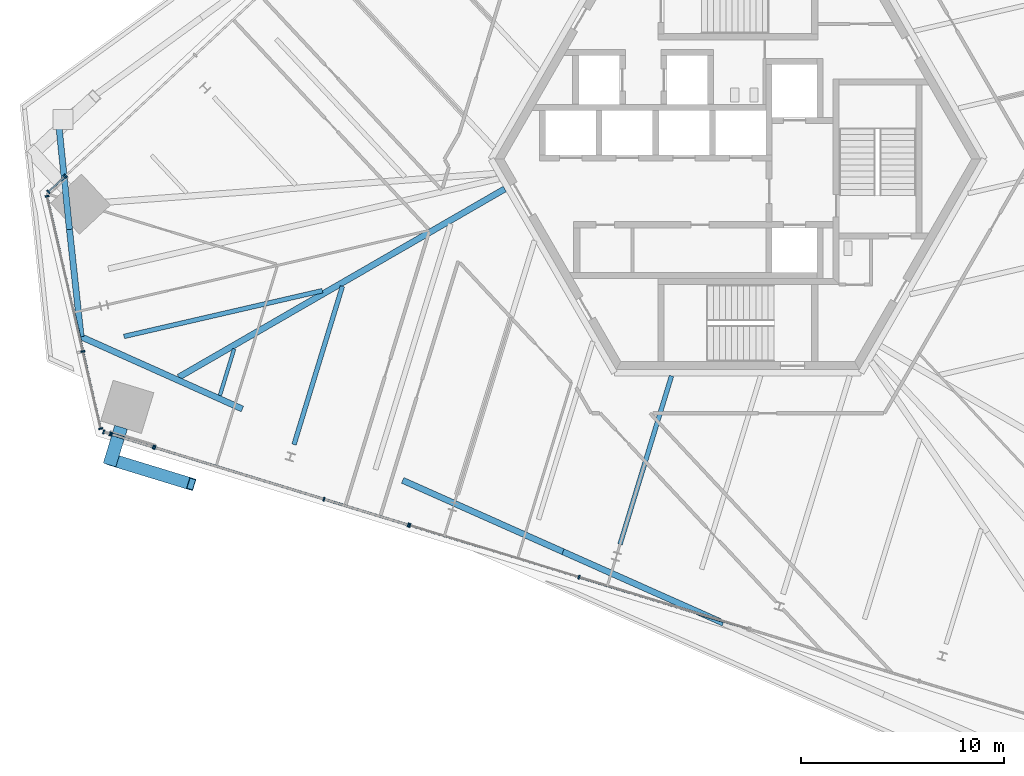
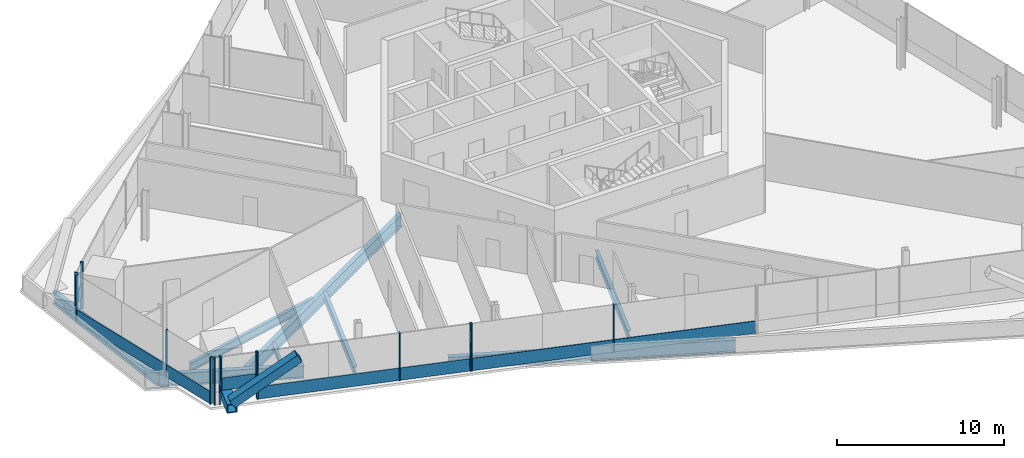
# One storey, part 4 of 25: 25 members, 10 beams, 7 elements without a shape of their own.
"""IFC4 building model written with IfcOpenShell, lengths in metres."""

from ifc_helpers import new_model, si_unit, direction, frame, origin, origin_2d, place, context, subcontext, project, spatial, rectangle, hollow_rectangle, i_section, extrude, source, transform, mapped, material, material_profile, profile_set, type_object, element, aggregate, save


model = new_model("IFC4")

# Units and contexts
model_context = context("Model", 3, precision=1e-05, world=origin(), true_north=direction((0.0, 1.0)))
body_context = subcontext(model_context, "Body", "Model", "MODEL_VIEW")
ifc_project = project(units=[si_unit("LENGTHUNIT", "METRE"), si_unit("AREAUNIT", "SQUARE_METRE"), si_unit("VOLUMEUNIT", "CUBIC_METRE"), si_unit("PLANEANGLEUNIT", "RADIAN"), si_unit("MASSUNIT", "GRAM", prefix="KILO")], contexts=[model_context])

# Site, building, storey
site_placement = place(None, origin())
site = spatial("IfcSite", under=ifc_project, at=site_placement, CompositionType="ELEMENT")
building_placement = place(site_placement, origin())
building = spatial("IfcBuilding", under=site, at=building_placement, Name="Triune Harvest Tower", CompositionType="ELEMENT")
storey_placement = place(building_placement, frame((0.0, 0.0, 98.300048828125)))
storey = spatial("IfcBuildingStorey", under=building, at=storey_placement, Name="L24", CompositionType="ELEMENT", Elevation=98.300048828125)

# Beams
ifc_material_1 = material(Name="Steel ASTM A992 Gr 50", Category="steel")
ifc_material_profile_1 = material_profile(ifc_material_1, i_section(OverallWidth=0.3046875, OverallDepth=0.914306640625, WebThickness=0.0166015625, FlangeThickness=0.02587890625, at=origin_2d()), Name="W36x160")
ifc_profile_set_1 = profile_set([ifc_material_profile_1], Name="Steel ASTM A992 Gr 50")
beam_type_1 = type_object("IfcBeamType", Name="SB-1 Spandrel beam W36x160", PredefinedType="SPANDREL", material=ifc_profile_set_1)
beam_1_placement = place(storey_placement, frame((-32.989501953125, -3.46728515625, -0.6171875), z_axis=(0.10748184298, -0.994207047566, 0.0), x_axis=(0.994207047566, 0.10748184298, 0.0)))
element("IfcBeam", 1, at=beam_1_placement, inside=storey, type_object=beam_type_1, Name="beam/L24/WB14", PredefinedType="SPANDREL", context=body_context, shape_type="SweptSolid", body=[
    extrude(i_section(OverallWidth=0.3046875, OverallDepth=0.914306640625, WebThickness=0.0166015625, FlangeThickness=0.02587890625, at=origin_2d()), origin(), (0.0, 0.0, 1.0), 5.33349609375),
])
shared_shape_1 = source(origin(), body_context, "Body", "SweptSolid", [
    extrude(i_section(OverallWidth=0.3046875, OverallDepth=0.914306640625, WebThickness=0.0166015625, FlangeThickness=0.02587890625, at=origin_2d()), origin(), (0.0, 0.0, 1.0), 8.662109375),
])
for number, where, z_axis, x_axis, name in (
    (2, (-16.541259765625, -15.85546875, -0.6171875), (0.913547524684, -0.406732000392, 0.0), (0.406732000392, 0.913547524684, 0.0), "beam/L24/WB16"),
    (3, (-8.6279296875, -19.378662109375, -0.6171875), (0.913547524684, -0.406732000392, 0.0), (0.406732000392, 0.913547524684, 0.0), "beam/L24/WB17"),
):
    element("IfcBeam", number, at=place(storey_placement, frame(where, z_axis=z_axis, x_axis=x_axis)), inside=storey, type_object=beam_type_1, Name=name, PredefinedType="SPANDREL", context=body_context, shape_type="MappedRepresentation", body=[
        mapped(shared_shape_1, transform((0.0, 0.0, 0.0), scale=1.0)),
    ])
shared_shape_2 = source(origin(), body_context, "Body", "SweptSolid", [
    extrude(i_section(OverallWidth=0.3046875, OverallDepth=0.914306640625, WebThickness=0.0166015625, FlangeThickness=0.02587890625, at=origin_2d()), origin(), (0.0, 0.0, 1.0), 5.333251953125),
])
beam_2_placement = place(storey_placement, frame((-33.531005859375, 1.83837890625, -0.6171875), z_axis=(0.101534029261, -0.994832066684, 0.0), x_axis=(0.994832066684, 0.101534029261, 0.0)))
element("IfcBeam", 4, at=beam_2_placement, inside=storey, type_object=beam_type_1, Name="beam/L24/WB13", PredefinedType="SPANDREL", context=body_context, shape_type="MappedRepresentation", body=[
    mapped(shared_shape_2, transform((0.0, 0.0, 0.0), scale=1.0)),
])
shared_shape_3 = source(origin(), body_context, "Body", "SweptSolid", [
    extrude(i_section(OverallWidth=0.3046875, OverallDepth=0.914306640625, WebThickness=0.0166015625, FlangeThickness=0.02587890625, at=origin_2d()), origin(), (0.0, 0.0, 1.0), 8.72216796875),
])
beam_3_placement = place(storey_placement, frame((-32.416259765625, -8.769775390625, -0.6171875), z_axis=(0.912798756017, -0.40840963629, 0.0), x_axis=(0.40840963629, 0.912798756017, 0.0)))
element("IfcBeam", 5, at=beam_3_placement, inside=storey, type_object=beam_type_1, Name="beam/L24/WB15", PredefinedType="SPANDREL", context=body_context, shape_type="MappedRepresentation", body=[
    mapped(shared_shape_3, transform((0.0, 0.0, 0.0), scale=1.0)),
])
ifc_material_2 = material(Name="Steel ASTM A992 Gr 50", Category="steel")
ifc_material_profile_2 = material_profile(ifc_material_2, i_section(OverallWidth=0.307373046875, OverallDepth=0.922119140625, WebThickness=0.018310546875, FlangeThickness=0.030029296875, at=origin_2d()), Name="W36x182")
ifc_profile_set_2 = profile_set([ifc_material_profile_2], Name="Steel ASTM A992 Gr 50")
beam_type_2 = type_object("IfcBeamType", Name="HG-2 Hip girder W36x182", PredefinedType="BEAM", material=ifc_profile_set_2)
shared_shape_4 = source(origin(), body_context, "Body", "SweptSolid", [
    extrude(i_section(OverallWidth=0.307373046875, OverallDepth=0.922119140625, WebThickness=0.018310546875, FlangeThickness=0.030029296875, at=origin_2d()), origin(), (0.0, 0.0, 1.0), 18.57958984375),
])
beam_4_placement = place(storey_placement, frame((-27.5927734375, -10.760986328125, -0.62109375), z_axis=(0.866024532322, 0.500001509413, 0.0), x_axis=(-0.500001509413, 0.866024532322, 0.0)))
element("IfcBeam", 6, at=beam_4_placement, inside=storey, type_object=beam_type_2, Name="beam/L24/HG6", PredefinedType="BEAM", context=body_context, shape_type="MappedRepresentation", body=[
    mapped(shared_shape_4, transform((0.0, 0.0, 0.0), scale=1.0)),
])
ifc_material_3 = material(Name="Steel ASTM A992 Gr 50", Category="steel")
ifc_material_profile_3 = material_profile(ifc_material_3, i_section(OverallWidth=0.22900390625, OverallDepth=0.612060546875, WebThickness=0.011962890625, FlangeThickness=0.01953125, at=origin_2d()), Name="W24x84")
ifc_profile_set_3 = profile_set([ifc_material_profile_3], Name="Steel ASTM A992 Gr 50")
beam_type_3 = type_object("IfcBeamType", Name="JT-3 Floor joist W24x84", PredefinedType="JOIST", material=ifc_profile_set_3)
shared_shape_5 = source(origin(), body_context, "Body", "SweptSolid", [
    extrude(i_section(OverallWidth=0.22900390625, OverallDepth=0.612060546875, WebThickness=0.011962890625, FlangeThickness=0.01953125, at=origin_2d()), origin(), (0.0, 0.0, 1.0), 10.05029296875),
])
beam_5_placement = place(storey_placement, frame((-30.297119140625, -8.751708984375, -0.466064453125), z_axis=(0.974371949676, 0.224942889831, 0.0), x_axis=(-0.224942889831, 0.974371949676, 0.0)))
element("IfcBeam", 7, at=beam_5_placement, inside=storey, type_object=beam_type_3, Name="beam/L24/JT26", PredefinedType="JOIST", context=body_context, shape_type="MappedRepresentation", body=[
    mapped(shared_shape_5, transform((0.0, 0.0, 0.0), scale=1.0)),
])
ifc_material_4 = material(Name="Steel ASTM A992 Gr 50", Category="steel")
ifc_material_profile_4 = material_profile(ifc_material_4, i_section(OverallWidth=0.180908203125, OverallDepth=0.41650390625, WebThickness=0.010986328125, FlangeThickness=0.01806640625, at=origin_2d()), Name="W16x57")
ifc_profile_set_4 = profile_set([ifc_material_profile_4], Name="Steel ASTM A992 Gr 50")
beam_type_4 = type_object("IfcBeamType", Name="JT-1 Floor joist W16x57", PredefinedType="JOIST", material=ifc_profile_set_4)
shared_shape_6 = source(origin(), body_context, "Body", "SweptSolid", [
    extrude(i_section(OverallWidth=0.180908203125, OverallDepth=0.41650390625, WebThickness=0.010986328125, FlangeThickness=0.01806640625, at=origin_2d()), origin(), (0.0, 0.0, 1.0), 2.413818359375),
])
beam_6_placement = place(storey_placement, frame((-25.564697265625, -11.66845703125, -0.368408203125), z_axis=(0.292400970977, 0.956295807882, 0.0), x_axis=(-0.956295807882, 0.292400970977, 0.0)))
element("IfcBeam", 8, at=beam_6_placement, inside=storey, type_object=beam_type_4, Name="beam/L24/JT27", PredefinedType="JOIST", context=body_context, shape_type="MappedRepresentation", body=[
    mapped(shared_shape_6, transform((0.0, 0.0, 0.0), scale=1.0)),
])
shared_shape_7 = source(origin(), body_context, "Body", "SweptSolid", [
    extrude(i_section(OverallWidth=0.22900390625, OverallDepth=0.612060546875, WebThickness=0.011962890625, FlangeThickness=0.01953125, at=origin_2d()), origin(), (0.0, 0.0, 1.0), 8.173095703125),
])
beam_7_placement = place(storey_placement, frame((-21.906005859375, -14.091552734375, -0.466064453125), z_axis=(0.292353619056, 0.956310285119, 0.0), x_axis=(-0.956310285119, 0.292353619056, 0.0)))
element("IfcBeam", 9, at=beam_7_placement, inside=storey, type_object=beam_type_3, Name="beam/L24/JT28", PredefinedType="JOIST", context=body_context, shape_type="MappedRepresentation", body=[
    mapped(shared_shape_7, transform((0.0, 0.0, 0.0), scale=1.0)),
])
shared_shape_8 = source(origin(), body_context, "Body", "SweptSolid", [
    extrude(i_section(OverallWidth=0.22900390625, OverallDepth=0.612060546875, WebThickness=0.011962890625, FlangeThickness=0.01953125, at=origin_2d()), origin(), (0.0, 0.0, 1.0), 8.694580078125),
])
beam_8_placement = place(storey_placement, frame((-5.8125, -19.01171875, -0.466064453125), z_axis=(0.292364775961, 0.956306874271, 0.0), x_axis=(-0.956306874271, 0.292364775961, 0.0)))
element("IfcBeam", 10, at=beam_8_placement, inside=storey, type_object=beam_type_3, Name="beam/L24/JT32", PredefinedType="JOIST", context=body_context, shape_type="MappedRepresentation", body=[
    mapped(shared_shape_8, transform((0.0, 0.0, 0.0), scale=1.0)),
])

# Members
ifc_material_5 = material(Name="Steel ASTM A572 Gr 50", Category="steel")
ifc_material_profile_5 = material_profile(ifc_material_5, hollow_rectangle(XDim=0.64990234375, YDim=0.64990234375, WallThickness=0.070068359375, at=origin_2d()), Name="Box 650x650x70")
ifc_profile_set_5 = profile_set([ifc_material_profile_5], Name="Steel ASTM A572 Gr 50")
member_type_1 = type_object("IfcMemberType", Name="BS-1 Brace stub Box 650x650x70", PredefinedType="STRUT", material=ifc_profile_set_5)
shared_shape_9 = source(origin(), body_context, "Body", "SweptSolid", [
    extrude(hollow_rectangle(XDim=0.64990234375, YDim=0.64990234375, WallThickness=0.070068359375, at=origin_2d()), origin(), (0.0, 0.0, 1.0), 1.94873046875),
])
member_1_placement = place(storey_placement, frame((-30.442626953125, -13.233154296875, 0.599853515625), z_axis=(-0.292298110922, -0.95632725275, 0.0), x_axis=(0.95632725275, -0.292298110922, 0.0)))
element("IfcMember", 11, at=member_1_placement, inside=storey, type_object=member_type_1, Name="brace/B3-F5/stub1", PredefinedType="STRUT", context=body_context, shape_type="MappedRepresentation", body=[
    mapped(shared_shape_9, transform((0.0, 0.0, 0.0), scale=1.0)),
])
ifc_material_6 = material(Name="Steel ASTM A572 Gr 50", Category="steel")
ifc_material_profile_6 = material_profile(ifc_material_6, hollow_rectangle(XDim=0.60009765625, YDim=0.60009765625, WallThickness=0.0400390625, at=origin_2d()), Name="Box 600x600x40")
ifc_profile_set_6 = profile_set([ifc_material_profile_6], Name="Steel ASTM A572 Gr 50")
member_type_2 = type_object("IfcMemberType", Name="BR-2 Brace Box 600x600x40", PredefinedType="BRACE", material=ifc_profile_set_6)
shared_shape_10 = source(origin(), body_context, "Body", "SweptSolid", [
    extrude(hollow_rectangle(XDim=0.60009765625, YDim=0.60009765625, WallThickness=0.0400390625, at=origin_2d()), origin(), (0.0, 0.0, 1.0), 4.943115234375),
])
member_2_placement = place(storey_placement, frame((-30.930419921875, -14.8291015625, 0.889892578125), z_axis=(0.799787691982, -0.244485214309, 0.548239571482), x_axis=(0.292334064219, 0.95631626301, 0.0)))
element("IfcMember", 12, at=member_2_placement, inside=storey, type_object=member_type_2, Name="brace/B3-F5/d1/1", PredefinedType="BRACE", context=body_context, shape_type="MappedRepresentation", body=[
    mapped(shared_shape_10, transform((0.0, 0.0, 0.0), scale=1.0)),
])

# Curtain wall, member
ifc_material_7 = material(Name="Aluminium bronze anodised", Category="aluminium")
curtain_wall_type_1 = type_object("IfcCurtainWallType", Name="CW-7 Tower stick curtain wall with insulated spandrel infill", PredefinedType="NOTDEFINED", material=ifc_material_7)
curtain_wall_1_placement = place(storey_placement, origin())
curtain_wall_1 = element("IfcCurtainWall", 13, at=curtain_wall_1_placement, inside=storey, type_object=curtain_wall_type_1, Name="CW-7 B3-F3 L24 run 2201")
ifc_material_8 = material(Name="Aluminium bronze anodised", Category="aluminium")
ifc_material_profile_7 = material_profile(ifc_material_8, rectangle(XDim=0.199951171875, YDim=0.074951171875, at=origin_2d()), Name="MU-1 mullion 75 x 200")
ifc_profile_set_7 = profile_set([ifc_material_profile_7], Name="Aluminium bronze anodised")
member_type_3 = type_object("IfcMemberType", Name="MU-1 mullion 75 x 200", PredefinedType="MULLION", material=ifc_profile_set_7)
shared_shape_11 = source(origin(), body_context, "Body", "SweptSolid", [
    extrude(rectangle(XDim=0.199951171875, YDim=0.074951171875, at=origin_2d()), origin(), (0.0, 0.0, 1.0), 3.43994140625),
])
member_3_placement = place(storey_placement, frame((-33.17333984375, -0.8203125, 0.0), z_axis=(0.0, 0.0, 1.0), x_axis=(0.681999599114, -0.731352546183, 0.0)))
member_3 = element("IfcMember", 14, at=member_3_placement, type_object=member_type_3, Name="CW-7 mullion B3-F3 2201.5", PredefinedType="MULLION", context=body_context, shape_type="MappedRepresentation", body=[
    mapped(shared_shape_11, transform((0.0, 0.0, 0.0), scale=1.0)),
])
aggregate(curtain_wall_1, [member_3])

# Curtain wall, members
ifc_material_9 = material(Name="Aluminium bronze anodised", Category="aluminium")
curtain_wall_type_2 = type_object("IfcCurtainWallType", Name="CW-1 Tower stick curtain wall", PredefinedType="NOTDEFINED", material=ifc_material_9)
curtain_wall_2_placement = place(storey_placement, origin())
curtain_wall_2 = element("IfcCurtainWall", 15, at=curtain_wall_2_placement, inside=storey, type_object=curtain_wall_type_2, Name="CW-1 B3-F4 L24 run 1")
member_4_placement = place(storey_placement, frame((-34.0947265625, -1.83056640625, 0.0), z_axis=(0.0, 0.0, 1.0), x_axis=(0.974371012181, 0.224946950683, 0.0)))
member_4 = element("IfcMember", 16, at=member_4_placement, type_object=member_type_3, Name="CW-1 mullion B3-F4 1.1", PredefinedType="MULLION", context=body_context, shape_type="MappedRepresentation", body=[
    mapped(shared_shape_11, transform((0.0, 0.0, 0.0), scale=1.0)),
])
member_5_placement = place(storey_placement, frame((-32.32666015625, -9.489501953125, 0.0), z_axis=(0.0, 0.0, 1.0), x_axis=(0.974371012181, 0.224946950683, 0.0)))
member_5 = element("IfcMember", 17, at=member_5_placement, type_object=member_type_3, Name="CW-1 mullion B3-F4 1.3", PredefinedType="MULLION", context=body_context, shape_type="MappedRepresentation", body=[
    mapped(shared_shape_11, transform((0.0, 0.0, 0.0), scale=1.0)),
])
member_6_placement = place(storey_placement, frame((-31.44677734375, -13.30078125, 0.0), z_axis=(0.0, 0.0, 1.0), x_axis=(0.974371012181, 0.224946950683, 0.0)))
member_6 = element("IfcMember", 18, at=member_6_placement, type_object=member_type_3, Name="CW-1 mullion B3-F4 1.4", PredefinedType="MULLION", context=body_context, shape_type="MappedRepresentation", body=[
    mapped(shared_shape_11, transform((0.0, 0.0, 0.0), scale=1.0)),
])

curtain_wall_3_placement = place(storey_placement, origin())
curtain_wall_3 = element("IfcCurtainWall", 19, at=curtain_wall_3_placement, inside=storey, type_object=curtain_wall_type_2, Name="CW-1 B3-F5 L24 run 1")
member_7_placement = place(storey_placement, frame((-31.296142578125, -13.462158203125, 0.0), z_axis=(0.0, 0.0, 1.0), x_axis=(0.292458820477, 0.956278117665, 0.0)))
member_7 = element("IfcMember", 20, at=member_7_placement, type_object=member_type_3, Name="CW-1 mullion B3-F5 1.1", PredefinedType="MULLION", context=body_context, shape_type="MappedRepresentation", body=[
    mapped(shared_shape_11, transform((0.0, 0.0, 0.0), scale=1.0)),
])
member_8_placement = place(storey_placement, frame((-30.983642578125, -13.557861328125, 0.0), z_axis=(0.0, 0.0, 1.0), x_axis=(0.292458820477, 0.956278117665, 0.0)))
member_8 = element("IfcMember", 21, at=member_8_placement, type_object=member_type_3, Name="CW-1 mullion B3-F5 1.2", PredefinedType="MULLION", context=body_context, shape_type="MappedRepresentation", body=[
    mapped(shared_shape_11, transform((0.0, 0.0, 0.0), scale=1.0)),
])
aggregate(curtain_wall_3, [member_7, member_8])

curtain_wall_4_placement = place(storey_placement, origin())
curtain_wall_4 = element("IfcCurtainWall", 22, at=curtain_wall_4_placement, inside=storey, type_object=curtain_wall_type_1, Name="CW-7 B3-F5 L24 run 201")
member_9_placement = place(storey_placement, frame((-28.77734375, -14.232421875, 0.0), z_axis=(0.0, 0.0, 1.0), x_axis=(0.292370846839, 0.956305018244, 0.0)))
member_9 = element("IfcMember", 23, at=member_9_placement, type_object=member_type_3, Name="CW-7 mullion B3-F5 201.1", PredefinedType="MULLION", context=body_context, shape_type="MappedRepresentation", body=[
    mapped(shared_shape_11, transform((0.0, 0.0, 0.0), scale=1.0)),
])
member_10_placement = place(storey_placement, frame((-20.4228515625, -16.78662109375, 0.0), z_axis=(0.0, 0.0, 1.0), x_axis=(0.292370846839, 0.956305018244, 0.0)))
member_10 = element("IfcMember", 24, at=member_10_placement, type_object=member_type_3, Name="CW-7 mullion B3-F5 201.3", PredefinedType="MULLION", context=body_context, shape_type="MappedRepresentation", body=[
    mapped(shared_shape_11, transform((0.0, 0.0, 0.0), scale=1.0)),
])
member_11_placement = place(storey_placement, frame((-16.263671875, -18.05810546875, 0.0), z_axis=(0.0, 0.0, 1.0), x_axis=(0.292370846839, 0.956305018244, 0.0)))
member_11 = element("IfcMember", 25, at=member_11_placement, type_object=member_type_3, Name="CW-7 mullion B3-F5 201.4", PredefinedType="MULLION", context=body_context, shape_type="MappedRepresentation", body=[
    mapped(shared_shape_11, transform((0.0, 0.0, 0.0), scale=1.0)),
])

curtain_wall_5_placement = place(storey_placement, origin())
curtain_wall_5 = element("IfcCurtainWall", 26, at=curtain_wall_5_placement, inside=storey, type_object=curtain_wall_type_2, Name="CW-1 B3-F5 L24 run 1201")
member_12_placement = place(storey_placement, frame((-16.19189453125, -18.080078125, 0.0), z_axis=(0.0, 0.0, 1.0), x_axis=(0.292379389313, 0.956302406514, 0.0)))
member_12 = element("IfcMember", 27, at=member_12_placement, type_object=member_type_3, Name="CW-1 mullion B3-F5 1201.1", PredefinedType="MULLION", context=body_context, shape_type="MappedRepresentation", body=[
    mapped(shared_shape_11, transform((0.0, 0.0, 0.0), scale=1.0)),
])
member_13_placement = place(storey_placement, frame((-7.837646484375, -20.63427734375, 0.0), z_axis=(0.0, 0.0, 1.0), x_axis=(0.292379389313, 0.956302406514, 0.0)))
member_13 = element("IfcMember", 28, at=member_13_placement, type_object=member_type_3, Name="CW-1 mullion B3-F5 1201.3", PredefinedType="MULLION", context=body_context, shape_type="MappedRepresentation", body=[
    mapped(shared_shape_11, transform((0.0, 0.0, 0.0), scale=1.0)),
])

curtain_wall_6_placement = place(storey_placement, origin())
curtain_wall_6 = element("IfcCurtainWall", 29, at=curtain_wall_6_placement, inside=storey, type_object=curtain_wall_type_2, Name="CW-1 B3-F3 L24 run 301")
shared_shape_12 = source(origin(), body_context, "Body", "SweptSolid", [
    extrude(rectangle(XDim=0.199951171875, YDim=0.074951171875, at=origin_2d()), origin(), (0.0, 0.0, 1.0), 2.455078125),
])
member_14_placement = place(storey_placement, frame((-33.22802734375, -0.87158203125, 0.98486328125), z_axis=(0.0, 0.0, 1.0), x_axis=(0.681968492791, -0.73138155216, 0.0)))
member_14 = element("IfcMember", 30, at=member_14_placement, type_object=member_type_3, Name="CW-1 mullion B3-F3 301.1", PredefinedType="MULLION", context=body_context, shape_type="MappedRepresentation", body=[
    mapped(shared_shape_12, transform((0.0, 0.0, 0.0), scale=1.0)),
])
member_15_placement = place(storey_placement, frame((-34.0302734375, -1.619384765625, 0.98486328125), z_axis=(0.0, 0.0, 1.0), x_axis=(0.681968492791, -0.73138155216, 0.0)))
member_15 = element("IfcMember", 31, at=member_15_placement, type_object=member_type_3, Name="CW-1 mullion B3-F3 301.2", PredefinedType="MULLION", context=body_context, shape_type="MappedRepresentation", body=[
    mapped(shared_shape_12, transform((0.0, 0.0, 0.0), scale=1.0)),
])

curtain_wall_7_placement = place(storey_placement, origin())
curtain_wall_7 = element("IfcCurtainWall", 32, at=curtain_wall_7_placement, inside=storey, type_object=curtain_wall_type_1, Name="CW-7 B3-F5 L24 run 101")
member_16_placement = place(storey_placement, frame((-30.911865234375, -13.579833984375, 0.98486328125), z_axis=(0.0, 0.0, 1.0), x_axis=(0.292353970989, 0.95631017753, 0.0)))
member_16 = element("IfcMember", 33, at=member_16_placement, type_object=member_type_3, Name="CW-7 mullion B3-F5 101.1", PredefinedType="MULLION", context=body_context, shape_type="MappedRepresentation", body=[
    mapped(shared_shape_12, transform((0.0, 0.0, 0.0), scale=1.0)),
])
member_17_placement = place(storey_placement, frame((-28.848876953125, -14.21044921875, 0.98486328125), z_axis=(0.0, 0.0, 1.0), x_axis=(0.292353970989, 0.95631017753, 0.0)))
member_17 = element("IfcMember", 34, at=member_17_placement, type_object=member_type_3, Name="CW-7 mullion B3-F5 101.2", PredefinedType="MULLION", context=body_context, shape_type="MappedRepresentation", body=[
    mapped(shared_shape_12, transform((0.0, 0.0, 0.0), scale=1.0)),
])

# Member
ifc_material_10 = material(Name="Aluminium bronze anodised", Category="aluminium")
ifc_material_profile_8 = material_profile(ifc_material_10, rectangle(XDim=0.090087890625, YDim=0.89990234375, at=origin_2d()), Name="TR-1 transom 90 x 900")
ifc_profile_set_8 = profile_set([ifc_material_profile_8], Name="Aluminium bronze anodised")
member_type_4 = type_object("IfcMemberType", Name="TR-1 transom 90 x 900", PredefinedType="USERDEFINED", material=ifc_profile_set_8)
shared_shape_13 = source(origin(), body_context, "Body", "SweptSolid", [
    extrude(rectangle(XDim=0.090087890625, YDim=0.89990234375, at=origin_2d()), origin(), (0.0, 0.0, 1.0), 1.021728515625),
])
member_18_placement = place(storey_placement, frame((-33.255615234375, -0.89697265625, 1.43505859375), z_axis=(-0.731404789712, -0.681943570676, 0.0), x_axis=(0.681943570676, -0.731404789712, 0.0)))
member_18 = element("IfcMember", 35, at=member_18_placement, type_object=member_type_4, Name="CW-1 transom B3-F3 301.1", ObjectType="TRANSOM", PredefinedType="USERDEFINED", context=body_context, shape_type="MappedRepresentation", body=[
    mapped(shared_shape_13, transform((0.0, 0.0, 0.0), scale=1.0)),
])

aggregate(curtain_wall_6, [member_14, member_15, member_18])

shared_shape_14 = source(origin(), body_context, "Body", "SweptSolid", [
    extrude(rectangle(XDim=0.090087890625, YDim=0.89990234375, at=origin_2d()), origin(), (0.0, 0.0, 1.0), 8.660888671875),
])
member_19_placement = place(storey_placement, frame((-16.156005859375, -18.091064453125, 0.449951171875), z_axis=(0.956304073176, -0.29237393801, 0.0), x_axis=(0.29237393801, 0.956304073176, 0.0)))
member_19 = element("IfcMember", 36, at=member_19_placement, type_object=member_type_4, Name="CW-1 transom B3-F5 1201.1", ObjectType="TRANSOM", PredefinedType="USERDEFINED", context=body_context, shape_type="MappedRepresentation", body=[
    mapped(shared_shape_14, transform((0.0, 0.0, 0.0), scale=1.0)),
])

member_20_placement = place(storey_placement, frame((-7.8017578125, -20.645263671875, 0.449951171875), z_axis=(0.956304073176, -0.29237393801, 0.0), x_axis=(0.29237393801, 0.956304073176, 0.0)))
member_20 = element("IfcMember", 37, at=member_20_placement, type_object=member_type_4, Name="CW-1 transom B3-F5 1201.2", ObjectType="TRANSOM", PredefinedType="USERDEFINED", context=body_context, shape_type="MappedRepresentation", body=[
    mapped(shared_shape_14, transform((0.0, 0.0, 0.0), scale=1.0)),
])

aggregate(curtain_wall_5, [member_12, member_13, member_19, member_20])

shared_shape_15 = source(origin(), body_context, "Body", "SweptSolid", [
    extrude(rectangle(XDim=0.090087890625, YDim=0.89990234375, at=origin_2d()), origin(), (0.0, 0.0, 1.0), 2.082275390625),
])
member_21_placement = place(storey_placement, frame((-30.8759765625, -13.5908203125, 1.43505859375), z_axis=(0.95632243902, -0.292313859794, 0.0), x_axis=(0.292313859794, 0.95632243902, 0.0)))
member_21 = element("IfcMember", 38, at=member_21_placement, type_object=member_type_4, Name="CW-7 transom B3-F5 101.1", ObjectType="TRANSOM", PredefinedType="USERDEFINED", context=body_context, shape_type="MappedRepresentation", body=[
    mapped(shared_shape_15, transform((0.0, 0.0, 0.0), scale=1.0)),
])

aggregate(curtain_wall_7, [member_16, member_17, member_21])

shared_shape_16 = source(origin(), body_context, "Body", "SweptSolid", [
    extrude(rectangle(XDim=0.090087890625, YDim=0.89990234375, at=origin_2d()), origin(), (0.0, 0.0, 1.0), 3.83642578125),
])
member_22_placement = place(storey_placement, frame((-32.318115234375, -9.526123046875, 0.449951171875), z_axis=(0.224901336827, -0.974381541642, 0.0), x_axis=(0.974381541642, 0.224901336827, 0.0)))
member_22 = element("IfcMember", 39, at=member_22_placement, type_object=member_type_4, Name="CW-1 transom B3-F4 1.2", ObjectType="TRANSOM", PredefinedType="USERDEFINED", context=body_context, shape_type="MappedRepresentation", body=[
    mapped(shared_shape_16, transform((0.0, 0.0, 0.0), scale=1.0)),
])

shared_shape_17 = source(origin(), body_context, "Body", "SweptSolid", [
    extrude(rectangle(XDim=0.090087890625, YDim=0.89990234375, at=origin_2d()), origin(), (0.0, 0.0, 1.0), 8.6611328125),
])
member_23_placement = place(storey_placement, frame((-28.741455078125, -14.243408203125, 0.449951171875), z_axis=(0.956306482726, -0.292366056677, 0.0), x_axis=(0.292366056677, 0.956306482726, 0.0)))
member_23 = element("IfcMember", 40, at=member_23_placement, type_object=member_type_4, Name="CW-7 transom B3-F5 201.1", ObjectType="TRANSOM", PredefinedType="USERDEFINED", context=body_context, shape_type="MappedRepresentation", body=[
    mapped(shared_shape_17, transform((0.0, 0.0, 0.0), scale=1.0)),
])

shared_shape_18 = source(origin(), body_context, "Body", "SweptSolid", [
    extrude(rectangle(XDim=0.090087890625, YDim=0.89990234375, at=origin_2d()), origin(), (0.0, 0.0, 1.0), 4.274169921875),
])
member_24_placement = place(storey_placement, frame((-20.386962890625, -16.797607421875, 0.449951171875), z_axis=(0.956313428746, -0.292343335822, 0.0), x_axis=(0.292343335822, 0.956313428746, 0.0)))
member_24 = element("IfcMember", 41, at=member_24_placement, type_object=member_type_4, Name="CW-7 transom B3-F5 201.2", ObjectType="TRANSOM", PredefinedType="USERDEFINED", context=body_context, shape_type="MappedRepresentation", body=[
    mapped(shared_shape_18, transform((0.0, 0.0, 0.0), scale=1.0)),
])

aggregate(curtain_wall_4, [member_9, member_10, member_11, member_23, member_24])

shared_shape_19 = source(origin(), body_context, "Body", "SweptSolid", [
    extrude(rectangle(XDim=0.090087890625, YDim=0.89990234375, at=origin_2d()), origin(), (0.0, 0.0, 1.0), 7.785400390625),
])
member_25_placement = place(storey_placement, frame((-34.08642578125, -1.8671875, 0.449951171875), z_axis=(0.22493508372, -0.974373751756, 0.0), x_axis=(0.974373751756, 0.22493508372, 0.0)))
member_25 = element("IfcMember", 42, at=member_25_placement, type_object=member_type_4, Name="CW-1 transom B3-F4 1.1", ObjectType="TRANSOM", PredefinedType="USERDEFINED", context=body_context, shape_type="MappedRepresentation", body=[
    mapped(shared_shape_19, transform((0.0, 0.0, 0.0), scale=1.0)),
])

aggregate(curtain_wall_2, [member_4, member_5, member_6, member_25, member_22])

save(model, "model.ifc")
